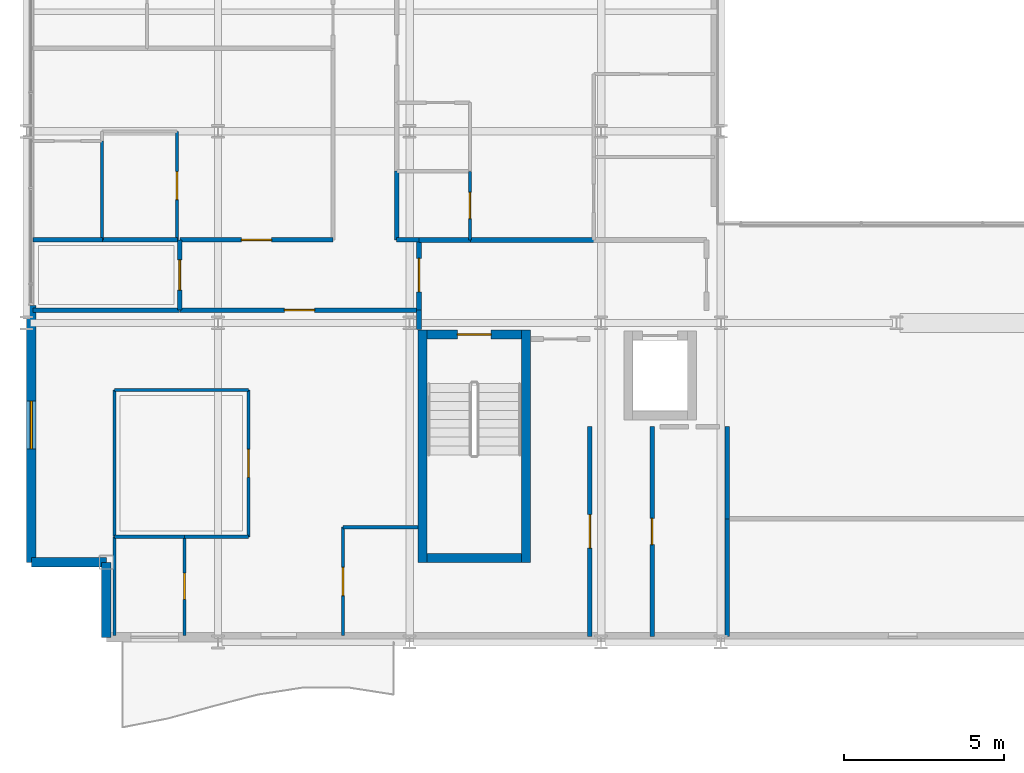
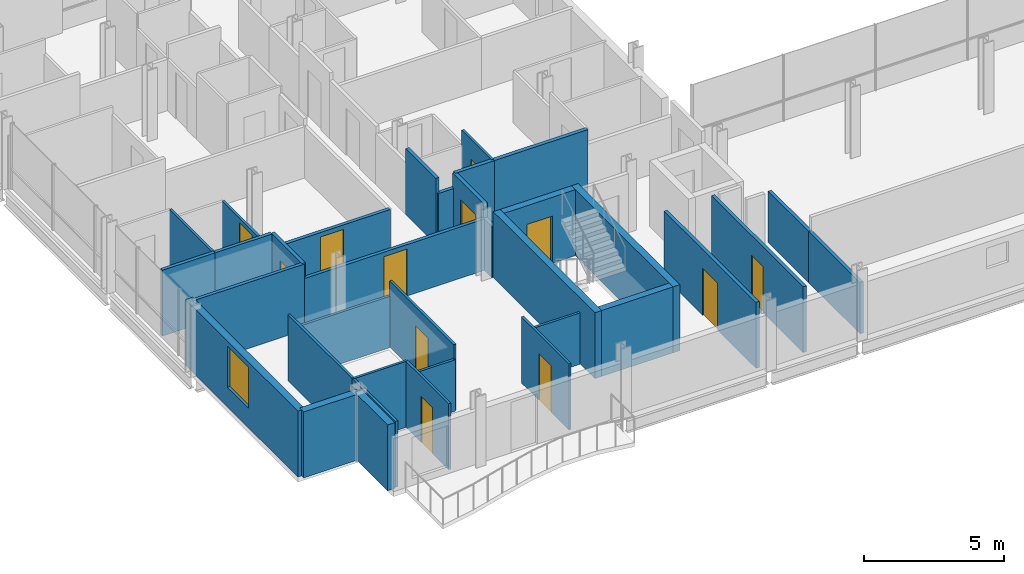
# One storey, part 31 of 41: 35 walls, 12 doors, 1 window, 13 openings.
"""IFC4 building model written with IfcOpenShell, lengths in metres."""

from ifc_helpers import new_model, si_unit, direction, frame, frame_2d, origin, place, context, subcontext, project, spatial, rectangle, extrude, material, layer, layer_set, type_object, element, fill, save


model = new_model("IFC4")

# Units and contexts
model_context = context("Model", 3, precision=1e-05, world=origin(), true_north=direction((0.0, 1.0)))
body_context = subcontext(model_context, "Body", "Model", "MODEL_VIEW")
ifc_project = project(units=[si_unit("LENGTHUNIT", "METRE"), si_unit("AREAUNIT", "SQUARE_METRE"), si_unit("VOLUMEUNIT", "CUBIC_METRE"), si_unit("PLANEANGLEUNIT", "RADIAN"), si_unit("MASSUNIT", "GRAM", prefix="KILO")], contexts=[model_context])

# Site, building, storey
site_placement = place(None, origin())
site = spatial("IfcSite", under=ifc_project, at=site_placement, CompositionType="ELEMENT")
building_placement = place(site_placement, origin())
building = spatial("IfcBuilding", under=site, at=building_placement, Name="Brevholm Reach", CompositionType="ELEMENT")
storey_placement = place(building_placement, frame((0.0, 0.0, 100.39990234375)))
storey = spatial("IfcBuildingStorey", under=building, at=storey_placement, Name="L29", CompositionType="ELEMENT", Elevation=100.39990234375)

# Walls
ifc_material_1 = material(Name="Concrete C50/60", Category="concrete")
ifc_layer_1 = layer(ifc_material_1, 0.280029296875)
ifc_layer_set_1 = layer_set([ifc_layer_1], Name="Concrete C50/60")
wall_type_1 = type_object("IfcWallType", Name="WAL-COR-280", PredefinedType="SHEAR", material=ifc_layer_set_1)
for number, where, z_axis, x_axis, name in (
    (1, (12.409912109375, 2.5, 0.0), (0.0, 0.0, 1.0), (0.0, 1.0, 0.0), "L29 Escape Stair ST-1 Core Wall W"),
    (2, (15.639892578125, 2.5, 0.0), (0.0, 0.0, 1.0), (0.0, 1.0, 0.0), "L29 Escape Stair ST-1 Core Wall E"),
):
    element("IfcWall", number, at=place(storey_placement, frame(where, z_axis=z_axis, x_axis=x_axis)), inside=storey, type_object=wall_type_1, Name=name, PredefinedType="SHEAR", context=body_context, shape_type="SweptSolid", body=[
        extrude(rectangle(XDim=7.280029296875, YDim=0.280029296875, at=frame_2d((3.64013671875, 0.0))), origin(), (0.0, 0.0, 1.0), 2.880126953125),
    ])
wall_1_placement = place(storey_placement, frame((12.550048828125, 2.639892578125, 0.0), z_axis=(0.0, 0.0, 1.0), x_axis=(1.0, 0.0, 0.0)))
element("IfcWall", 3, at=wall_1_placement, inside=storey, type_object=wall_type_1, Name="L29 Escape Stair ST-1 Core Wall S", PredefinedType="SHEAR", context=body_context, shape_type="SweptSolid", body=[
    extrude(rectangle(XDim=2.949951171875, YDim=0.280029296875, at=frame_2d((1.47509765625, 0.0))), origin(), (0.0, 0.0, 1.0), 2.880126953125),
])

# Wall, opening, door
wall_2_placement = place(storey_placement, frame((15.5, 9.639892578125, 0.0), z_axis=(0.0, 0.0, 1.0), x_axis=(-1.0, 0.0, 0.0)))
wall_2 = element("IfcWall", 4, at=wall_2_placement, inside=storey, type_object=wall_type_1, Name="L29 Escape Stair ST-1 Core Wall N", PredefinedType="SHEAR", context=body_context, shape_type="SweptSolid", body=[
    extrude(rectangle(XDim=2.949951171875, YDim=0.280029296875, at=frame_2d((1.47509765625, 0.0))), origin(), (0.0, 0.0, 1.0), 2.880126953125),
])
opening_1_placement = place(wall_2_placement, frame((0.949951171875, 0.0, 0.0)))
opening_1 = element("IfcOpeningElement", 5, at=opening_1_placement, cuts=wall_2, Name="Opening SD-ST-1", PredefinedType="OPENING", context=body_context, shape_type="SweptSolid", body=[
    extrude(rectangle(XDim=1.050048828125, YDim=2.06005859375, at=frame_2d((0.52490234375, 1.030029296875))), frame((0.0, 0.14990234375, 0.0), z_axis=(0.0, -1.0, 0.0), x_axis=(1.0, 0.0, 0.0)), (0.0, 0.0, 1.0), 0.300048828125),
])
ifc_material_2 = material(Name="Hardwood-Lipped Steel-Core Fire and Smoke Door", Category="steel")
door_type_1 = type_object("IfcDoorType", Name="DOR-INT-FD60S", OperationType="NOTDEFINED", PredefinedType="DOOR", material=ifc_material_2)
door_1_placement = place(opening_1_placement, origin())
door_1 = element("IfcDoor", 6, at=door_1_placement, inside=storey, type_object=door_type_1, Name="L29 Protected Stair ST-1 Lobby Door", OperationType="SINGLE_SWING_LEFT", OverallHeight=2.06005859375, OverallWidth=1.050048828125, PredefinedType="DOOR", context=body_context, shape_type="SweptSolid", body=[
    extrude(rectangle(XDim=1.050048828125, YDim=2.06005859375, at=frame_2d((0.52490234375, 1.030029296875))), frame((0.0, 0.02490234375, 0.0), z_axis=(0.0, -1.0, 0.0), x_axis=(1.0, 0.0, 0.0)), (0.0, 0.0, 1.0), 0.050048828125),
])
fill(opening_1, door_1)

# Walls
ifc_material_3 = material(Name="Concrete C40/50", Category="concrete")
ifc_layer_2 = layer(ifc_material_3, 0.300048828125)
ifc_layer_set_2 = layer_set([ifc_layer_2], Name="Concrete C40/50")
wall_type_2 = type_object("IfcWallType", Name="WAL-EXT-300", PredefinedType="STANDARD", material=ifc_layer_set_2)
for number, where, z_axis, x_axis, name in (
    (7, (2.5, 2.5, 0.0), (0.0, 0.0, 1.0), (0.0, -1.0, 0.0), "L29 Facade Wall WAL-L29-CSW1"),
    (8, (0.14990234375, 2.5, 0.0), (0.0, 0.0, 1.0), (1.0, 0.0, 0.0), "L29 Facade Wall WAL-L29-CSW2"),
):
    element("IfcWall", number, at=place(storey_placement, frame(where, z_axis=z_axis, x_axis=x_axis)), inside=storey, type_object=wall_type_2, Name=name, PredefinedType="STANDARD", context=body_context, shape_type="SweptSolid", body=[
        extrude(rectangle(XDim=2.35009765625, YDim=0.300048828125, at=frame_2d((1.175048828125, 0.0))), origin(), (0.0, 0.0, 1.0), 2.880126953125),
    ])

# Wall, opening, window
wall_3_placement = place(storey_placement, frame((0.14990234375, 10.550048828125, 0.0), z_axis=(0.0, 0.0, 1.0), x_axis=(0.0, -1.0, 0.0)))
wall_3 = element("IfcWall", 9, at=wall_3_placement, inside=storey, type_object=wall_type_2, Name="L29 Facade Wall WAL-L29-W-S", PredefinedType="STANDARD", context=body_context, shape_type="SweptSolid", body=[
    extrude(rectangle(XDim=8.050048828125, YDim=0.300048828125, at=frame_2d((4.02490234375, 0.0))), origin(), (0.0, 0.0, 1.0), 2.880126953125),
])
opening_2_placement = place(wall_3_placement, frame((3.0, 0.0, 0.860107421875)))
opening_2 = element("IfcOpeningElement", 10, at=opening_2_placement, cuts=wall_3, Name="Opening WN-05", PredefinedType="OPENING", context=body_context, shape_type="SweptSolid", body=[
    extrude(rectangle(XDim=1.5, YDim=1.800048828125, at=frame_2d((0.75, 0.89990234375))), frame((0.0, 0.159912109375, 0.0), z_axis=(0.0, -1.0, 0.0), x_axis=(1.0, 0.0, 0.0)), (0.0, 0.0, 1.0), 0.320068359375),
])
ifc_material_4 = material(Name="Dark Anodised Aluminium and Solar-Control IGU Glass", Category="aluminium")
window_type = type_object("IfcWindowType", Name="WIN-RES-1500", PartitioningType="SINGLE_PANEL", PredefinedType="WINDOW", material=ifc_material_4)
window_placement = place(opening_2_placement, origin())
window = element("IfcWindow", 11, at=window_placement, inside=storey, type_object=window_type, Name="L29 Window WIN-L29-WS-1", OverallHeight=1.800048828125, OverallWidth=1.5, PartitioningType="SINGLE_PANEL", PredefinedType="WINDOW", context=body_context, shape_type="SweptSolid", body=[
    extrude(rectangle(XDim=1.5, YDim=1.800048828125, at=frame_2d((0.75, 0.89990234375))), frame((0.0, 0.030029296875, 0.0), z_axis=(0.0, -1.0, 0.0), x_axis=(1.0, 0.0, 0.0)), (0.0, 0.0, 1.0), 0.06005859375),
])
fill(opening_2, window)

# Wall
ifc_material_5 = material(Name="Moisture-Resistant Acoustic Gypsum Stud Partition 100 mm", Category="gypsum")
ifc_layer_3 = layer(ifc_material_5, 0.10009765625)
ifc_layer_set_3 = layer_set([ifc_layer_3], Name="Moisture-Resistant Acoustic Gypsum Stud Partition 100 mm")
wall_type_3 = type_object("IfcWallType", Name="WAL-PRT-100", PredefinedType="PARTITIONING", material=ifc_layer_set_3)
wall_4_placement = place(storey_placement, frame((2.75, 3.300048828125, 0.0), z_axis=(0.0, 0.0, 1.0), x_axis=(1.0, 0.0, 0.0)))
element("IfcWall", 12, at=wall_4_placement, inside=storey, type_object=wall_type_3, Name="L29 Internal Partition 063", PredefinedType="PARTITIONING", context=body_context, shape_type="SweptSolid", body=[
    extrude(rectangle(XDim=2.197021484375, YDim=0.10009765625, at=frame_2d((1.0986328125, 0.0))), origin(), (0.0, 0.0, 1.0), 2.880126953125),
])

# Wall, opening, door
wall_5_placement = place(storey_placement, frame((4.947021484375, 0.199951171875, 0.0), z_axis=(0.0, 0.0, 1.0), x_axis=(0.0, 1.0, 0.0)))
wall_5 = element("IfcWall", 13, at=wall_5_placement, inside=storey, type_object=wall_type_3, Name="L29 Internal Partition 064", PredefinedType="PARTITIONING", context=body_context, shape_type="SweptSolid", body=[
    extrude(rectangle(XDim=3.10009765625, YDim=0.10009765625, at=frame_2d((1.550048828125, 0.0))), origin(), (0.0, 0.0, 1.0), 2.880126953125),
])
opening_3_placement = place(wall_5_placement, frame((1.139892578125, 0.0, 0.0)))
opening_3 = element("IfcOpeningElement", 14, at=opening_3_placement, cuts=wall_5, Name="Opening ID-03", PredefinedType="OPENING", context=body_context, shape_type="SweptSolid", body=[
    extrude(rectangle(XDim=0.820068359375, YDim=2.02001953125, at=frame_2d((0.41015625, 1.010009765625))), frame((0.0, 0.06005859375, 0.0), z_axis=(0.0, -1.0, 0.0), x_axis=(1.0, 0.0, 0.0)), (0.0, 0.0, 1.0), 0.1201171875),
])
ifc_material_6 = material(Name="Moisture-Resistant Painted Timber Internal Bathroom Door", Category="wood")
door_type_2 = type_object("IfcDoorType", Name="DOR-BATH-820", OperationType="NOTDEFINED", PredefinedType="DOOR", material=ifc_material_6)
door_2_placement = place(opening_3_placement, origin())
door_2 = element("IfcDoor", 15, at=door_2_placement, inside=storey, type_object=door_type_2, Name="L29 Internal Door 025", OperationType="SINGLE_SWING_RIGHT", OverallHeight=2.02001953125, OverallWidth=0.820068359375, PredefinedType="DOOR", context=body_context, shape_type="SweptSolid", body=[
    extrude(rectangle(XDim=0.820068359375, YDim=2.02001953125, at=frame_2d((0.41015625, 1.010009765625))), frame((0.0, 0.02490234375, 0.0), z_axis=(0.0, -1.0, 0.0), x_axis=(1.0, 0.0, 0.0)), (0.0, 0.0, 1.0), 0.050048828125),
])
fill(opening_3, door_2)

# Walls
wall_6_placement = place(storey_placement, frame((2.75, 0.199951171875, 0.0), z_axis=(0.0, 0.0, 1.0), x_axis=(0.0, 1.0, 0.0)))
element("IfcWall", 16, at=wall_6_placement, inside=storey, type_object=wall_type_3, Name="L29 Internal Partition 065", PredefinedType="PARTITIONING", context=body_context, shape_type="SweptSolid", body=[
    extrude(rectangle(XDim=3.10009765625, YDim=0.10009765625, at=frame_2d((1.550048828125, 0.0))), origin(), (0.0, 0.0, 1.0), 2.880126953125),
])
wall_7_placement = place(storey_placement, frame((9.912109375, 3.60009765625, 0.0), z_axis=(0.0, 0.0, 1.0), x_axis=(1.0, 0.0, 0.0)))
element("IfcWall", 17, at=wall_7_placement, inside=storey, type_object=wall_type_3, Name="L29 Internal Partition 066", PredefinedType="PARTITIONING", context=body_context, shape_type="SweptSolid", body=[
    extrude(rectangle(XDim=2.347900390625, YDim=0.10009765625, at=frame_2d((1.173828125, 0.0))), origin(), (0.0, 0.0, 1.0), 2.242919921875),
])

# Wall, opening, door
wall_8_placement = place(storey_placement, frame((9.912109375, 0.199951171875, 0.0), z_axis=(0.0, 0.0, 1.0), x_axis=(0.0, 1.0, 0.0)))
wall_8 = element("IfcWall", 18, at=wall_8_placement, inside=storey, type_object=wall_type_3, Name="L29 Internal Partition 067", PredefinedType="PARTITIONING", context=body_context, shape_type="SweptSolid", body=[
    extrude(rectangle(XDim=3.400146484375, YDim=0.10009765625, at=frame_2d((1.7001953125, 0.0))), origin(), (0.0, 0.0, 1.0), 2.880126953125),
])
opening_4_placement = place(wall_8_placement, frame((1.260009765625, 0.0, 0.0)))
opening_4 = element("IfcOpeningElement", 19, at=opening_4_placement, cuts=wall_8, Name="Opening ID-01", PredefinedType="OPENING", context=body_context, shape_type="SweptSolid", body=[
    extrude(rectangle(XDim=0.8798828125, YDim=2.0400390625, at=frame_2d((0.43994140625, 1.02001953125))), frame((0.0, 0.06005859375, 0.0), z_axis=(0.0, -1.0, 0.0), x_axis=(1.0, 0.0, 0.0)), (0.0, 0.0, 1.0), 0.1201171875),
])
ifc_material_7 = material(Name="Lacquered Ash Solid-Core Acoustic Internal Door", Category="timber")
door_type_3 = type_object("IfcDoorType", Name="DOR-INT-880", OperationType="NOTDEFINED", PredefinedType="DOOR", material=ifc_material_7)
door_3_placement = place(opening_4_placement, origin())
door_3 = element("IfcDoor", 20, at=door_3_placement, inside=storey, type_object=door_type_3, Name="L29 Internal Door 026", OperationType="SINGLE_SWING_LEFT", OverallHeight=2.0400390625, OverallWidth=0.8798828125, PredefinedType="DOOR", context=body_context, shape_type="SweptSolid", body=[
    extrude(rectangle(XDim=0.8798828125, YDim=2.0400390625, at=frame_2d((0.43994140625, 1.02001953125))), frame((0.0, 0.02490234375, 0.0), z_axis=(0.0, -1.0, 0.0), x_axis=(1.0, 0.0, 0.0)), (0.0, 0.0, 1.0), 0.050048828125),
])
fill(opening_4, door_3)

# Wall
wall_9_placement = place(storey_placement, frame((4.950927734375, 3.300048828125, 0.0), z_axis=(0.0, 0.0, 1.0), x_axis=(1.0, 0.0, 0.0)))
element("IfcWall", 21, at=wall_9_placement, inside=storey, type_object=wall_type_3, Name="L29 Internal Partition 068", PredefinedType="PARTITIONING", context=body_context, shape_type="SweptSolid", body=[
    extrude(rectangle(XDim=1.9990234375, YDim=0.10009765625, at=frame_2d((0.99951171875, 0.0))), origin(), (0.0, 0.0, 1.0), 2.242919921875),
])

# Wall, opening, door
wall_10_placement = place(storey_placement, frame((6.949951171875, 3.300048828125, 0.0), z_axis=(0.0, 0.0, 1.0), x_axis=(0.0, 1.0, 0.0)))
wall_10 = element("IfcWall", 22, at=wall_10_placement, inside=storey, type_object=wall_type_3, Name="L29 Internal Partition 069", PredefinedType="PARTITIONING", context=body_context, shape_type="SweptSolid", body=[
    extrude(rectangle(XDim=4.599853515625, YDim=0.10009765625, at=frame_2d((2.2998046875, 0.0))), origin(), (0.0, 0.0, 1.0), 2.880126953125),
])
opening_5_placement = place(wall_10_placement, frame((1.860107421875, 0.0, 0.0)))
opening_5 = element("IfcOpeningElement", 23, at=opening_5_placement, cuts=wall_10, Name="Opening ID-01", PredefinedType="OPENING", context=body_context, shape_type="SweptSolid", body=[
    extrude(rectangle(XDim=0.8798828125, YDim=2.0400390625, at=frame_2d((0.43994140625, 1.02001953125))), frame((0.0, 0.06005859375, 0.0), z_axis=(0.0, -1.0, 0.0), x_axis=(1.0, 0.0, 0.0)), (0.0, 0.0, 1.0), 0.1201171875),
])
door_4_placement = place(opening_5_placement, origin())
door_4 = element("IfcDoor", 24, at=door_4_placement, inside=storey, type_object=door_type_3, Name="L29 Internal Door 027", OperationType="SINGLE_SWING_RIGHT", OverallHeight=2.0400390625, OverallWidth=0.8798828125, PredefinedType="DOOR", context=body_context, shape_type="SweptSolid", body=[
    extrude(rectangle(XDim=0.8798828125, YDim=2.0400390625, at=frame_2d((0.43994140625, 1.02001953125))), frame((0.0, 0.02490234375, 0.0), z_axis=(0.0, -1.0, 0.0), x_axis=(1.0, 0.0, 0.0)), (0.0, 0.0, 1.0), 0.050048828125),
])
fill(opening_5, door_4)

# Walls
wall_11_placement = place(storey_placement, frame((2.75, 7.89990234375, 0.0), z_axis=(0.0, 0.0, 1.0), x_axis=(1.0, 0.0, 0.0)))
element("IfcWall", 25, at=wall_11_placement, inside=storey, type_object=wall_type_3, Name="L29 Internal Partition 070", PredefinedType="PARTITIONING", context=body_context, shape_type="SweptSolid", body=[
    extrude(rectangle(XDim=4.199951171875, YDim=0.10009765625, at=frame_2d((2.10009765625, 0.0))), origin(), (0.0, 0.0, 1.0), 2.242919921875),
])
wall_12_placement = place(storey_placement, frame((2.75, 3.303955078125, 0.0), z_axis=(0.0, 0.0, 1.0), x_axis=(0.0, 1.0, 0.0)))
element("IfcWall", 26, at=wall_12_placement, inside=storey, type_object=wall_type_3, Name="L29 Internal Partition 071", PredefinedType="PARTITIONING", context=body_context, shape_type="SweptSolid", body=[
    extrude(rectangle(XDim=4.595947265625, YDim=0.10009765625, at=frame_2d((2.2978515625, 0.0))), origin(), (0.0, 0.0, 1.0), 2.880126953125),
])
wall_13_placement = place(storey_placement, frame((2.362060546875, 12.60400390625, 0.0), z_axis=(0.0, 0.0, 1.0), x_axis=(0.0, 1.0, 0.0)))
element("IfcWall", 27, at=wall_13_placement, inside=storey, type_object=wall_type_3, Name="L29 Internal Partition 087", PredefinedType="PARTITIONING", context=body_context, shape_type="SweptSolid", body=[
    extrude(rectangle(XDim=3.095947265625, YDim=0.10009765625, at=frame_2d((1.5478515625, 0.0))), origin(), (0.0, 0.0, 1.0), 2.880126953125),
])

# Wall, opening, door
wall_14_placement = place(storey_placement, frame((4.7119140625, 12.60400390625, 0.0), z_axis=(0.0, 0.0, 1.0), x_axis=(0.0, 1.0, 0.0)))
wall_14 = element("IfcWall", 28, at=wall_14_placement, inside=storey, type_object=wall_type_3, Name="L29 Internal Partition 089", PredefinedType="PARTITIONING", context=body_context, shape_type="SweptSolid", body=[
    extrude(rectangle(XDim=3.39599609375, YDim=0.10009765625, at=frame_2d((1.697998046875, 0.0))), origin(), (0.0, 0.0, 1.0), 2.242919921875),
])
opening_6_placement = place(wall_14_placement, frame((1.258056640625, 0.0, 0.0)))
opening_6 = element("IfcOpeningElement", 29, at=opening_6_placement, cuts=wall_14, Name="Opening ID-01", PredefinedType="OPENING", context=body_context, shape_type="SweptSolid", body=[
    extrude(rectangle(XDim=0.8798828125, YDim=2.0400390625, at=frame_2d((0.43994140625, 1.02001953125))), frame((0.0, 0.06005859375, 0.0), z_axis=(0.0, -1.0, 0.0), x_axis=(1.0, 0.0, 0.0)), (0.0, 0.0, 1.0), 0.1201171875),
])
door_5_placement = place(opening_6_placement, origin())
door_5 = element("IfcDoor", 30, at=door_5_placement, inside=storey, type_object=door_type_3, Name="L29 Internal Door 033", OperationType="SINGLE_SWING_RIGHT", OverallHeight=2.0400390625, OverallWidth=0.8798828125, PredefinedType="DOOR", context=body_context, shape_type="SweptSolid", body=[
    extrude(rectangle(XDim=0.8798828125, YDim=2.0400390625, at=frame_2d((0.43994140625, 1.02001953125))), frame((0.0, 0.02490234375, 0.0), z_axis=(0.0, -1.0, 0.0), x_axis=(1.0, 0.0, 0.0)), (0.0, 0.0, 1.0), 0.050048828125),
])
fill(opening_6, door_5)

wall_15_placement = place(storey_placement, frame((13.888916015625, 12.60400390625, 0.0), z_axis=(0.0, 0.0, 1.0), x_axis=(0.0, 1.0, 0.0)))
wall_15 = element("IfcWall", 31, at=wall_15_placement, inside=storey, type_object=wall_type_3, Name="L29 Internal Partition 110", PredefinedType="PARTITIONING", context=body_context, shape_type="SweptSolid", body=[
    extrude(rectangle(XDim=2.14599609375, YDim=0.10009765625, at=frame_2d((1.072998046875, 0.0))), origin(), (0.0, 0.0, 1.0), 2.880126953125),
])
opening_7_placement = place(wall_15_placement, frame((0.6630859375, 0.0, 0.0)))
opening_7 = element("IfcOpeningElement", 32, at=opening_7_placement, cuts=wall_15, Name="Opening ID-03", PredefinedType="OPENING", context=body_context, shape_type="SweptSolid", body=[
    extrude(rectangle(XDim=0.820068359375, YDim=2.02001953125, at=frame_2d((0.41015625, 1.010009765625))), frame((0.0, 0.06005859375, 0.0), z_axis=(0.0, -1.0, 0.0), x_axis=(1.0, 0.0, 0.0)), (0.0, 0.0, 1.0), 0.1201171875),
])
door_6_placement = place(opening_7_placement, origin())
door_6 = element("IfcDoor", 33, at=door_6_placement, inside=storey, type_object=door_type_2, Name="L29 Internal Door 040", OperationType="SINGLE_SWING_LEFT", OverallHeight=2.02001953125, OverallWidth=0.820068359375, PredefinedType="DOOR", context=body_context, shape_type="SweptSolid", body=[
    extrude(rectangle(XDim=0.820068359375, YDim=2.02001953125, at=frame_2d((0.41015625, 1.010009765625))), frame((0.0, 0.02490234375, 0.0), z_axis=(0.0, -1.0, 0.0), x_axis=(1.0, 0.0, 0.0)), (0.0, 0.0, 1.0), 0.050048828125),
])
fill(opening_7, door_6)

# Walls
ifc_material_8 = material(Name="Twin-Stud Acoustic Fire-Rated Gypsum Partition 140 mm", Category="gypsum")
ifc_layer_4 = layer(ifc_material_8, 0.139892578125)
ifc_layer_set_4 = layer_set([ifc_layer_4], Name="Twin-Stud Acoustic Fire-Rated Gypsum Partition 140 mm")
wall_type_4 = type_object("IfcWallType", Name="WAL-PRT-140", PredefinedType="PARTITIONING", material=ifc_layer_set_4)
wall_16_placement = place(storey_placement, frame((21.949951171875, 0.179931640625, 0.0), z_axis=(0.0, 0.0, 1.0), x_axis=(0.0, 1.0, 0.0)))
element("IfcWall", 34, at=wall_16_placement, inside=storey, type_object=wall_type_4, Name="L29 Internal Partition 004", PredefinedType="PARTITIONING", context=body_context, shape_type="SweptSolid", body=[
    extrude(rectangle(XDim=3.68017578125, YDim=0.139892578125, at=frame_2d((1.840087890625, 0.0))), origin(), (0.0, 0.0, 1.0), 2.242919921875),
])
wall_17_placement = place(storey_placement, frame((21.949951171875, 3.864013671875, 0.0), z_axis=(0.0, 0.0, 1.0), x_axis=(0.0, 1.0, 0.0)))
element("IfcWall", 35, at=wall_17_placement, inside=storey, type_object=wall_type_4, Name="L29 Internal Partition 005", PredefinedType="PARTITIONING", context=body_context, shape_type="SweptSolid", body=[
    extrude(rectangle(XDim=2.897216796875, YDim=0.139892578125, at=frame_2d((1.44873046875, 0.0))), origin(), (0.0, 0.0, 1.0), 2.242919921875),
])

# Wall, opening, door
wall_18_placement = place(storey_placement, frame((17.64990234375, 0.179931640625, 0.0), z_axis=(0.0, 0.0, 1.0), x_axis=(0.0, 1.0, 0.0)))
wall_18 = element("IfcWall", 36, at=wall_18_placement, inside=storey, type_object=wall_type_4, Name="L29 Internal Partition 006", PredefinedType="PARTITIONING", context=body_context, shape_type="SweptSolid", body=[
    extrude(rectangle(XDim=6.581298828125, YDim=0.139892578125, at=frame_2d((3.29052734375, 0.0))), origin(), (0.0, 0.0, 1.0), 2.880126953125),
])
opening_8_placement = place(wall_18_placement, frame((2.765625, 0.0, 0.0)))
opening_8 = element("IfcOpeningElement", 37, at=opening_8_placement, cuts=wall_18, Name="Opening FD-01", PredefinedType="OPENING", context=body_context, shape_type="SweptSolid", body=[
    extrude(rectangle(XDim=1.050048828125, YDim=2.06005859375, at=frame_2d((0.52490234375, 1.030029296875))), frame((0.0, 0.079833984375, 0.0), z_axis=(0.0, -1.0, 0.0), x_axis=(1.0, 0.0, 0.0)), (0.0, 0.0, 1.0), 0.159912109375),
])
door_7_placement = place(opening_8_placement, origin())
door_7 = element("IfcDoor", 38, at=door_7_placement, inside=storey, type_object=door_type_1, Name="L29 Internal Door 003", OperationType="SINGLE_SWING_RIGHT", OverallHeight=2.06005859375, OverallWidth=1.050048828125, PredefinedType="DOOR", context=body_context, shape_type="SweptSolid", body=[
    extrude(rectangle(XDim=1.050048828125, YDim=2.06005859375, at=frame_2d((0.52490234375, 1.030029296875))), frame((0.0, 0.02490234375, 0.0), z_axis=(0.0, -1.0, 0.0), x_axis=(1.0, 0.0, 0.0)), (0.0, 0.0, 1.0), 0.050048828125),
])
fill(opening_8, door_7)

wall_19_placement = place(storey_placement, frame((19.60009765625, 0.179931640625, 0.0), z_axis=(0.0, 0.0, 1.0), x_axis=(0.0, 1.0, 0.0)))
wall_19 = element("IfcWall", 39, at=wall_19_placement, inside=storey, type_object=wall_type_4, Name="L29 Internal Partition 008", PredefinedType="PARTITIONING", context=body_context, shape_type="SweptSolid", body=[
    extrude(rectangle(XDim=6.570068359375, YDim=0.139892578125, at=frame_2d((3.28515625, 0.0))), origin(), (0.0, 0.0, 1.0), 2.880126953125),
])
opening_9_placement = place(wall_19_placement, frame((2.875, 0.0, 0.0)))
opening_9 = element("IfcOpeningElement", 40, at=opening_9_placement, cuts=wall_19, Name="Opening ID-02", PredefinedType="OPENING", context=body_context, shape_type="SweptSolid", body=[
    extrude(rectangle(XDim=0.820068359375, YDim=2.02001953125, at=frame_2d((0.41015625, 1.010009765625))), frame((0.0, 0.079833984375, 0.0), z_axis=(0.0, -1.0, 0.0), x_axis=(1.0, 0.0, 0.0)), (0.0, 0.0, 1.0), 0.159912109375),
])
ifc_material_9 = material(Name="Moisture-Resistant Painted Timber Fire-Rated Riser and Service Door", Category="wood")
door_type_4 = type_object("IfcDoorType", Name="DOR-SRV-820", OperationType="NOTDEFINED", PredefinedType="DOOR", material=ifc_material_9)
door_8_placement = place(opening_9_placement, origin())
door_8 = element("IfcDoor", 41, at=door_8_placement, inside=storey, type_object=door_type_4, Name="L29 Access Door 062", OperationType="SINGLE_SWING_LEFT", OverallHeight=2.02001953125, OverallWidth=0.820068359375, PredefinedType="DOOR", context=body_context, shape_type="SweptSolid", body=[
    extrude(rectangle(XDim=0.820068359375, YDim=2.02001953125, at=frame_2d((0.41015625, 1.010009765625))), frame((0.0, 0.02490234375, 0.0), z_axis=(0.0, -1.0, 0.0), x_axis=(1.0, 0.0, 0.0)), (0.0, 0.0, 1.0), 0.050048828125),
])
fill(opening_9, door_8)

wall_20_placement = place(storey_placement, frame((4.800048828125, 10.39990234375, 0.0), z_axis=(0.0, 0.0, 1.0), x_axis=(1.0, 0.0, 0.0)))
wall_20 = element("IfcWall", 42, at=wall_20_placement, inside=storey, type_object=wall_type_4, Name="L29 Internal Partition 023", PredefinedType="PARTITIONING", context=body_context, shape_type="SweptSolid", body=[
    extrude(rectangle(XDim=7.495849609375, YDim=0.139892578125, at=frame_2d((3.748046875, 0.0))), origin(), (0.0, 0.0, 1.0), 2.242919921875),
])
opening_10_placement = place(wall_20_placement, frame((3.27294921875, 0.0, 0.0)))
opening_10 = element("IfcOpeningElement", 43, at=opening_10_placement, cuts=wall_20, Name="Opening ID-30", PredefinedType="OPENING", context=body_context, shape_type="SweptSolid", body=[
    extrude(rectangle(XDim=0.949951171875, YDim=2.050048828125, at=frame_2d((0.47509765625, 1.02490234375))), frame((0.0, 0.079833984375, 0.0), z_axis=(0.0, -1.0, 0.0), x_axis=(1.0, 0.0, 0.0)), (0.0, 0.0, 1.0), 0.159912109375),
])
ifc_material_10 = material(Name="European Oak Veneered Solid-Core Fire Entrance Door", Category="timber")
door_type_5 = type_object("IfcDoorType", Name="DOR-FLT-FD30S", OperationType="NOTDEFINED", PredefinedType="DOOR", material=ifc_material_10)
door_9_placement = place(opening_10_placement, origin())
door_9 = element("IfcDoor", 44, at=door_9_placement, inside=storey, type_object=door_type_5, Name="L29 Internal Door 012", OperationType="SINGLE_SWING_LEFT", OverallHeight=2.050048828125, OverallWidth=0.949951171875, PredefinedType="DOOR", context=body_context, shape_type="SweptSolid", body=[
    extrude(rectangle(XDim=0.949951171875, YDim=2.050048828125, at=frame_2d((0.47509765625, 1.02490234375))), frame((0.0, 0.02490234375, 0.0), z_axis=(0.0, -1.0, 0.0), x_axis=(1.0, 0.0, 0.0)), (0.0, 0.0, 1.0), 0.050048828125),
])
fill(opening_10, door_9)

wall_21_placement = place(storey_placement, frame((4.800048828125, 10.39990234375, 0.0), z_axis=(0.0, 0.0, 1.0), x_axis=(0.0, 1.0, 0.0)))
wall_21 = element("IfcWall", 45, at=wall_21_placement, inside=storey, type_object=wall_type_4, Name="L29 Internal Partition 024", PredefinedType="PARTITIONING", context=body_context, shape_type="SweptSolid", body=[
    extrude(rectangle(XDim=2.2001953125, YDim=0.139892578125, at=frame_2d((1.10009765625, 0.0))), origin(), (0.0, 0.0, 1.0), 2.880126953125),
])
opening_11_placement = place(wall_21_placement, frame((0.625, 0.0, 0.0)))
opening_11 = element("IfcOpeningElement", 46, at=opening_11_placement, cuts=wall_21, Name="Opening ID-30", PredefinedType="OPENING", context=body_context, shape_type="SweptSolid", body=[
    extrude(rectangle(XDim=0.949951171875, YDim=2.050048828125, at=frame_2d((0.47509765625, 1.02490234375))), frame((0.0, 0.079833984375, 0.0), z_axis=(0.0, -1.0, 0.0), x_axis=(1.0, 0.0, 0.0)), (0.0, 0.0, 1.0), 0.159912109375),
])
door_10_placement = place(opening_11_placement, origin())
door_10 = element("IfcDoor", 47, at=door_10_placement, inside=storey, type_object=door_type_5, Name="L29 Internal Door 013", OperationType="SINGLE_SWING_RIGHT", OverallHeight=2.050048828125, OverallWidth=0.949951171875, PredefinedType="DOOR", context=body_context, shape_type="SweptSolid", body=[
    extrude(rectangle(XDim=0.949951171875, YDim=2.050048828125, at=frame_2d((0.47509765625, 1.02490234375))), frame((0.0, 0.02490234375, 0.0), z_axis=(0.0, -1.0, 0.0), x_axis=(1.0, 0.0, 0.0)), (0.0, 0.0, 1.0), 0.050048828125),
])
fill(opening_11, door_10)

wall_22_placement = place(storey_placement, frame((4.800048828125, 12.60009765625, 0.0), z_axis=(0.0, 0.0, 1.0), x_axis=(1.0, 0.0, 0.0)))
wall_22 = element("IfcWall", 48, at=wall_22_placement, inside=storey, type_object=wall_type_4, Name="L29 Internal Partition 025", PredefinedType="PARTITIONING", context=body_context, shape_type="SweptSolid", body=[
    extrude(rectangle(XDim=4.807373046875, YDim=0.139892578125, at=frame_2d((2.40380859375, 0.0))), origin(), (0.0, 0.0, 1.0), 2.242919921875),
])
opening_12_placement = place(wall_22_placement, frame((1.9287109375, 0.0, 0.0)))
opening_12 = element("IfcOpeningElement", 49, at=opening_12_placement, cuts=wall_22, Name="Opening ID-30", PredefinedType="OPENING", context=body_context, shape_type="SweptSolid", body=[
    extrude(rectangle(XDim=0.949951171875, YDim=2.050048828125, at=frame_2d((0.47509765625, 1.02490234375))), frame((0.0, 0.079833984375, 0.0), z_axis=(0.0, -1.0, 0.0), x_axis=(1.0, 0.0, 0.0)), (0.0, 0.0, 1.0), 0.159912109375),
])
door_11_placement = place(opening_12_placement, origin())
door_11 = element("IfcDoor", 50, at=door_11_placement, inside=storey, type_object=door_type_5, Name="L29 Internal Door 014", OperationType="SINGLE_SWING_LEFT", OverallHeight=2.050048828125, OverallWidth=0.949951171875, PredefinedType="DOOR", context=body_context, shape_type="SweptSolid", body=[
    extrude(rectangle(XDim=0.949951171875, YDim=2.050048828125, at=frame_2d((0.47509765625, 1.02490234375))), frame((0.0, 0.02490234375, 0.0), z_axis=(0.0, -1.0, 0.0), x_axis=(1.0, 0.0, 0.0)), (0.0, 0.0, 1.0), 0.050048828125),
])
fill(opening_12, door_11)

# Walls
wall_23_placement = place(storey_placement, frame((11.5927734375, 12.60009765625, 0.0), z_axis=(0.0, 0.0, 1.0), x_axis=(1.0, 0.0, 0.0)))
element("IfcWall", 51, at=wall_23_placement, inside=storey, type_object=wall_type_4, Name="L29 Internal Partition 026", PredefinedType="PARTITIONING", context=body_context, shape_type="SweptSolid", body=[
    extrude(rectangle(XDim=0.703125, YDim=0.139892578125, at=frame_2d((0.3515625, 0.0))), origin(), (0.0, 0.0, 1.0), 2.242919921875),
])
wall_24_placement = place(storey_placement, frame((11.60009765625, 12.60400390625, 0.0), z_axis=(0.0, 0.0, 1.0), x_axis=(0.0, 1.0, 0.0)))
element("IfcWall", 52, at=wall_24_placement, inside=storey, type_object=wall_type_4, Name="L29 Internal Partition 038", PredefinedType="PARTITIONING", context=body_context, shape_type="SweptSolid", body=[
    extrude(rectangle(XDim=2.1572265625, YDim=0.139892578125, at=frame_2d((1.07861328125, 0.0))), origin(), (0.0, 0.0, 1.0), 2.880126953125),
])
wall_25_placement = place(storey_placement, frame((0.199951171875, 10.39990234375, 0.0), z_axis=(0.0, 0.0, 1.0), x_axis=(1.0, 0.0, 0.0)))
element("IfcWall", 53, at=wall_25_placement, inside=storey, type_object=wall_type_4, Name="L29 Internal Partition 072", PredefinedType="PARTITIONING", context=body_context, shape_type="SweptSolid", body=[
    extrude(rectangle(XDim=4.595947265625, YDim=0.139892578125, at=frame_2d((2.2978515625, 0.0))), origin(), (0.0, 0.0, 1.0), 2.880126953125),
])
wall_26_placement = place(storey_placement, frame((0.199951171875, 12.60009765625, 0.0), z_axis=(0.0, 0.0, 1.0), x_axis=(1.0, 0.0, 0.0)))
element("IfcWall", 54, at=wall_26_placement, inside=storey, type_object=wall_type_4, Name="L29 Internal Partition 073", PredefinedType="PARTITIONING", context=body_context, shape_type="SweptSolid", body=[
    extrude(rectangle(XDim=2.17333984375, YDim=0.139892578125, at=frame_2d((1.086669921875, 0.0))), origin(), (0.0, 0.0, 1.0), 2.880126953125),
])
wall_27_placement = place(storey_placement, frame((2.354736328125, 12.60009765625, 0.0), z_axis=(0.0, 0.0, 1.0), x_axis=(1.0, 0.0, 0.0)))
element("IfcWall", 55, at=wall_27_placement, inside=storey, type_object=wall_type_4, Name="L29 Internal Partition 074", PredefinedType="PARTITIONING", context=body_context, shape_type="SweptSolid", body=[
    extrude(rectangle(XDim=2.36865234375, YDim=0.139892578125, at=frame_2d((1.184326171875, 0.0))), origin(), (0.0, 0.0, 1.0), 2.880126953125),
])

# Wall, opening, door
ifc_material_11 = material(Name="Twin-Frame Fire-Rated Gypsum Board and Mineral Wool 160 mm", Category="gypsum")
ifc_layer_5 = layer(ifc_material_11, 0.159912109375)
ifc_layer_set_5 = layer_set([ifc_layer_5], Name="Twin-Frame Fire-Rated Gypsum Board and Mineral Wool 160 mm")
wall_type_5 = type_object("IfcWallType", Name="WAL-PRT-160", PredefinedType="PARTITIONING", material=ifc_layer_set_5)
wall_28_placement = place(storey_placement, frame((12.300048828125, 10.388671875, 0.0), z_axis=(0.0, 0.0, 1.0), x_axis=(0.0, 1.0, 0.0)))
wall_28 = element("IfcWall", 56, at=wall_28_placement, inside=storey, type_object=wall_type_5, Name="L29 Internal Partition 013", PredefinedType="PARTITIONING", context=body_context, shape_type="SweptSolid", body=[
    extrude(rectangle(XDim=2.21142578125, YDim=0.159912109375, at=frame_2d((1.105712890625, 0.0))), origin(), (0.0, 0.0, 1.0), 2.880126953125),
])
opening_13_placement = place(wall_28_placement, frame((0.58056640625, 0.0, 0.0)))
opening_13 = element("IfcOpeningElement", 57, at=opening_13_placement, cuts=wall_28, Name="Opening FD-01", PredefinedType="OPENING", context=body_context, shape_type="SweptSolid", body=[
    extrude(rectangle(XDim=1.050048828125, YDim=2.06005859375, at=frame_2d((0.52490234375, 1.030029296875))), frame((0.0, 0.08984375, 0.0), z_axis=(0.0, -1.0, 0.0), x_axis=(1.0, 0.0, 0.0)), (0.0, 0.0, 1.0), 0.179931640625),
])
door_12_placement = place(opening_13_placement, origin())
door_12 = element("IfcDoor", 58, at=door_12_placement, inside=storey, type_object=door_type_1, Name="L29 Internal Door 008", OperationType="SINGLE_SWING_LEFT", OverallHeight=2.06005859375, OverallWidth=1.050048828125, PredefinedType="DOOR", context=body_context, shape_type="SweptSolid", body=[
    extrude(rectangle(XDim=1.050048828125, YDim=2.06005859375, at=frame_2d((0.52490234375, 1.030029296875))), frame((0.0, 0.02490234375, 0.0), z_axis=(0.0, -1.0, 0.0), x_axis=(1.0, 0.0, 0.0)), (0.0, 0.0, 1.0), 0.050048828125),
])
fill(opening_13, door_12)

# Walls
wall_29_placement = place(storey_placement, frame((12.300048828125, 9.7900390625, 0.0), z_axis=(0.0, 0.0, 1.0), x_axis=(0.0, 1.0, 0.0)))
element("IfcWall", 59, at=wall_29_placement, inside=storey, type_object=wall_type_5, Name="L29 Internal Partition 015", PredefinedType="PARTITIONING", context=body_context, shape_type="SweptSolid", body=[
    extrude(rectangle(XDim=0.6171875, YDim=0.159912109375, at=frame_2d((0.30859375, 0.0))), origin(), (0.0, 0.0, 1.0), 2.242919921875),
])
wall_30_placement = place(storey_placement, frame((12.300048828125, 12.60009765625, 0.0), z_axis=(0.0, 0.0, 1.0), x_axis=(1.0, 0.0, 0.0)))
element("IfcWall", 60, at=wall_30_placement, inside=storey, type_object=wall_type_5, Name="L29 Internal Partition 016", PredefinedType="PARTITIONING", context=body_context, shape_type="SweptSolid", body=[
    extrude(rectangle(XDim=1.600341796875, YDim=0.159912109375, at=frame_2d((0.80029296875, 0.0))), origin(), (0.0, 0.0, 1.0), 2.880126953125),
])
wall_31_placement = place(storey_placement, frame((13.881591796875, 12.60009765625, 0.0), z_axis=(0.0, 0.0, 1.0), x_axis=(1.0, 0.0, 0.0)))
element("IfcWall", 61, at=wall_31_placement, inside=storey, type_object=wall_type_5, Name="L29 Internal Partition 018", PredefinedType="PARTITIONING", context=body_context, shape_type="SweptSolid", body=[
    extrude(rectangle(XDim=3.894775390625, YDim=0.159912109375, at=frame_2d((1.947265625, 0.0))), origin(), (0.0, 0.0, 1.0), 2.880126953125),
])

save(model, "model.ifc")
